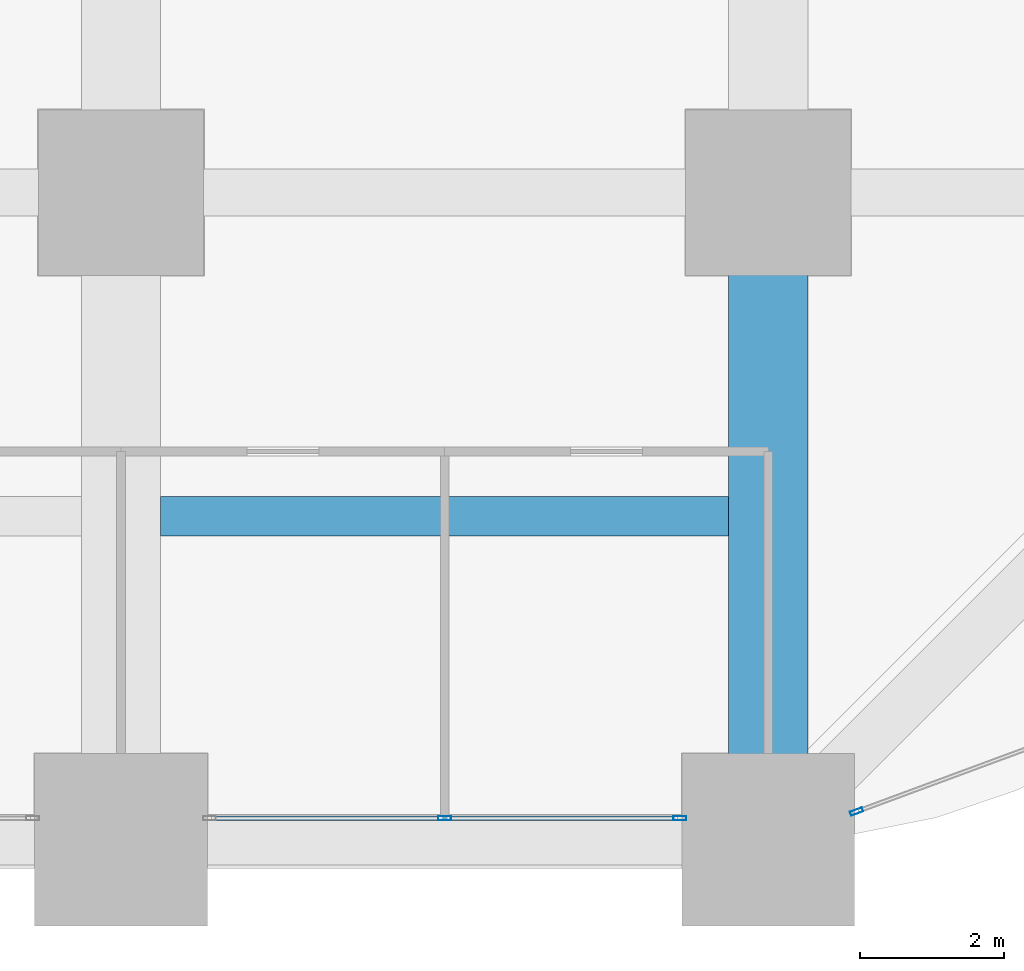
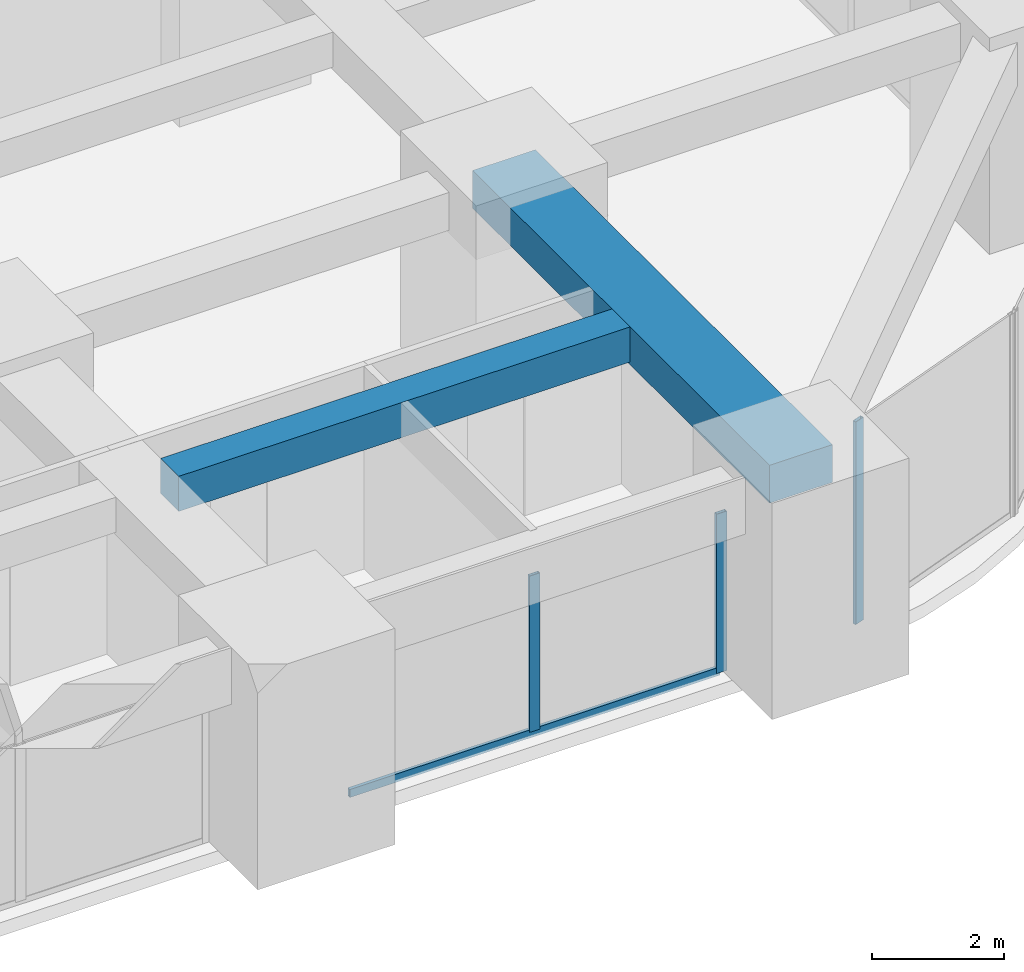
# One storey, part 15 of 45: 4 members, 2 beams, 2 elements without a shape of their own.
"""IFC4 building model written with IfcOpenShell, lengths in metres."""

from ifc_helpers import new_model, si_unit, direction, frame, origin, origin_2d, place, context, subcontext, project, spatial, rectangle, hollow_rectangle, extrude, material, material_profile, profile_set, type_object, element, aggregate, save


model = new_model("IFC4")

# Units and contexts
model_context = context("Model", 3, precision=1e-05, world=origin(), true_north=direction((0.0, 1.0)))
body_context = subcontext(model_context, "Body", "Model", "MODEL_VIEW")
ifc_project = project(units=[si_unit("LENGTHUNIT", "METRE"), si_unit("AREAUNIT", "SQUARE_METRE"), si_unit("VOLUMEUNIT", "CUBIC_METRE"), si_unit("PLANEANGLEUNIT", "RADIAN"), si_unit("MASSUNIT", "GRAM", prefix="KILO")], contexts=[model_context])

# Site, building, storey
site_placement = place(None, origin())
site = spatial("IfcSite", under=ifc_project, at=site_placement, CompositionType="ELEMENT")
building_placement = place(site_placement, origin())
building = spatial("IfcBuilding", under=site, at=building_placement, Name="Zorevar Civic Tower", CompositionType="ELEMENT")
storey_placement = place(building_placement, frame((0.0, 0.0, 47.800048828125)))
storey = spatial("IfcBuildingStorey", under=building, at=storey_placement, Name="L11", CompositionType="ELEMENT", Elevation=47.800048828125)

# Beams
ifc_material_1 = material(Name="Concrete C50/60", Category="concrete")
ifc_material_profile_1 = material_profile(ifc_material_1, rectangle(XDim=1.10009765625, YDim=0.699951171875, at=origin_2d()), Name="RC 1100x700")
ifc_profile_set_1 = profile_set([ifc_material_profile_1], Name="Concrete C50/60")
beam_type_1 = type_object("IfcBeamType", Name="Beam RC 1100x700", PredefinedType="BEAM", material=ifc_profile_set_1)
beam_1_placement = place(storey_placement, frame((54.0, 0.0, 3.39990234375), z_axis=(0.0, 1.0, 0.0), x_axis=(-1.0, 0.0, 0.0)))
element("IfcBeam", 1, at=beam_1_placement, inside=storey, type_object=beam_type_1, Name="Girder L12", PredefinedType="BEAM", context=body_context, shape_type="SweptSolid", body=[
    extrude(rectangle(XDim=1.10009765625, YDim=0.699951171875, at=origin_2d()), origin(), (0.0, 0.0, 1.0), 9.0),
])
ifc_material_2 = material(Name="Concrete C50/60", Category="concrete")
ifc_material_profile_2 = material_profile(ifc_material_2, rectangle(XDim=0.550048828125, YDim=0.64990234375, at=origin_2d()), Name="RC 550x650")
ifc_profile_set_2 = profile_set([ifc_material_profile_2], Name="Concrete C50/60")
beam_type_2 = type_object("IfcBeamType", Name="Beam RC 550x650", PredefinedType="BEAM", material=ifc_profile_set_2)
beam_2_placement = place(storey_placement, frame((45.550048828125, 4.5, 3.425048828125), z_axis=(1.0, 0.0, 0.0), x_axis=(0.0, 1.0, 0.0)))
element("IfcBeam", 2, at=beam_2_placement, inside=storey, type_object=beam_type_2, Name="Secondary beam L12", PredefinedType="BEAM", context=body_context, shape_type="SweptSolid", body=[
    extrude(rectangle(XDim=0.550048828125, YDim=0.64990234375, at=origin_2d()), origin(), (0.0, 0.0, 1.0), 7.89990234375),
])

# Curtain wall, members
ifc_material_3 = material(Name="Dark grey solar-control glass in black aluminium frame", Category="aluminium")
curtain_wall_type = type_object("IfcCurtainWallType", Name="Curtain wall CW2 low zone", PredefinedType="NOTDEFINED", material=ifc_material_3)
curtain_wall_1_placement = place(storey_placement, origin())
curtain_wall_1 = element("IfcCurtainWall", 3, at=curtain_wall_1_placement, inside=storey, type_object=curtain_wall_type, Name="CW2 L11", PredefinedType="NOTDEFINED")
ifc_material_4 = material(Name="Aluminium, black anodised", Category="aluminium")
ifc_material_profile_3 = material_profile(ifc_material_4, hollow_rectangle(XDim=0.06005859375, YDim=0.179931640625, WallThickness=0.00390625, at=origin_2d()), Name="AL 180x60x4")
ifc_profile_set_3 = profile_set([ifc_material_profile_3], Name="Aluminium, black anodised")
member_type_1 = type_object("IfcMemberType", Name="CW2 mullion AL 180x60x4", PredefinedType="MULLION", material=ifc_profile_set_3)
member_1_placement = place(storey_placement, frame((49.5, 0.300048828125, 0.06005859375), z_axis=(0.0, 0.0, 1.0), x_axis=(0.0, 1.0, 0.0)))
member_1 = element("IfcMember", 4, at=member_1_placement, type_object=member_type_1, Name="CW2 mullion 2", PredefinedType="MULLION", context=body_context, shape_type="SweptSolid", body=[
    extrude(hollow_rectangle(XDim=0.06005859375, YDim=0.179931640625, WallThickness=0.00390625, at=origin_2d()), origin(), (0.0, 0.0, 1.0), 2.889892578125),
])
member_2_placement = place(storey_placement, frame((52.77001953125, 0.300048828125, 0.0), z_axis=(0.0, 0.0, 1.0), x_axis=(0.0, 1.0, 0.0)))
member_2 = element("IfcMember", 5, at=member_2_placement, type_object=member_type_1, Name="CW2 mullion 3", PredefinedType="MULLION", context=body_context, shape_type="SweptSolid", body=[
    extrude(hollow_rectangle(XDim=0.06005859375, YDim=0.179931640625, WallThickness=0.00390625, at=origin_2d()), origin(), (0.0, 0.0, 1.0), 2.949951171875),
])

# Curtain wall, member
curtain_wall_2_placement = place(storey_placement, origin())
curtain_wall_2 = element("IfcCurtainWall", 6, at=curtain_wall_2_placement, inside=storey, type_object=curtain_wall_type, Name="CW2 L11", PredefinedType="NOTDEFINED")
member_3_placement = place(storey_placement, frame((55.22802734375, 0.3935546875, 0.0), z_axis=(0.0, 0.0, 1.0), x_axis=(-0.346704012033, 0.937974588163, 0.0)))
member_3 = element("IfcMember", 7, at=member_3_placement, type_object=member_type_1, Name="CW2 mullion 1", PredefinedType="MULLION", context=body_context, shape_type="SweptSolid", body=[
    extrude(hollow_rectangle(XDim=0.06005859375, YDim=0.179931640625, WallThickness=0.00390625, at=origin_2d()), origin(), (0.0, 0.0, 1.0), 3.75),
])
aggregate(curtain_wall_2, [member_3])

# Member
ifc_material_5 = material(Name="Aluminium, black anodised", Category="aluminium")
ifc_material_profile_4 = material_profile(ifc_material_5, hollow_rectangle(XDim=0.06005859375, YDim=0.14990234375, WallThickness=0.00390625, at=origin_2d()), Name="AL 150x60x4")
ifc_profile_set_4 = profile_set([ifc_material_profile_4], Name="Aluminium, black anodised")
member_type_2 = type_object("IfcMemberType", Name="CW2 transom AL 150x60x4", PredefinedType="USERDEFINED", material=ifc_profile_set_4)
member_4_placement = place(storey_placement, frame((46.260009765625, 0.300048828125, 0.030029296875), z_axis=(1.0, 0.0, 0.0), x_axis=(0.0, 1.0, 0.0)))
member_4 = element("IfcMember", 8, at=member_4_placement, type_object=member_type_2, Name="CW2 sill transom", ObjectType="TRANSOM", PredefinedType="USERDEFINED", context=body_context, shape_type="SweptSolid", body=[
    extrude(hollow_rectangle(XDim=0.06005859375, YDim=0.14990234375, WallThickness=0.00390625, at=origin_2d()), origin(), (0.0, 0.0, 1.0), 6.47998046875),
])

aggregate(curtain_wall_1, [member_1, member_2, member_4])

save(model, "model.ifc")
